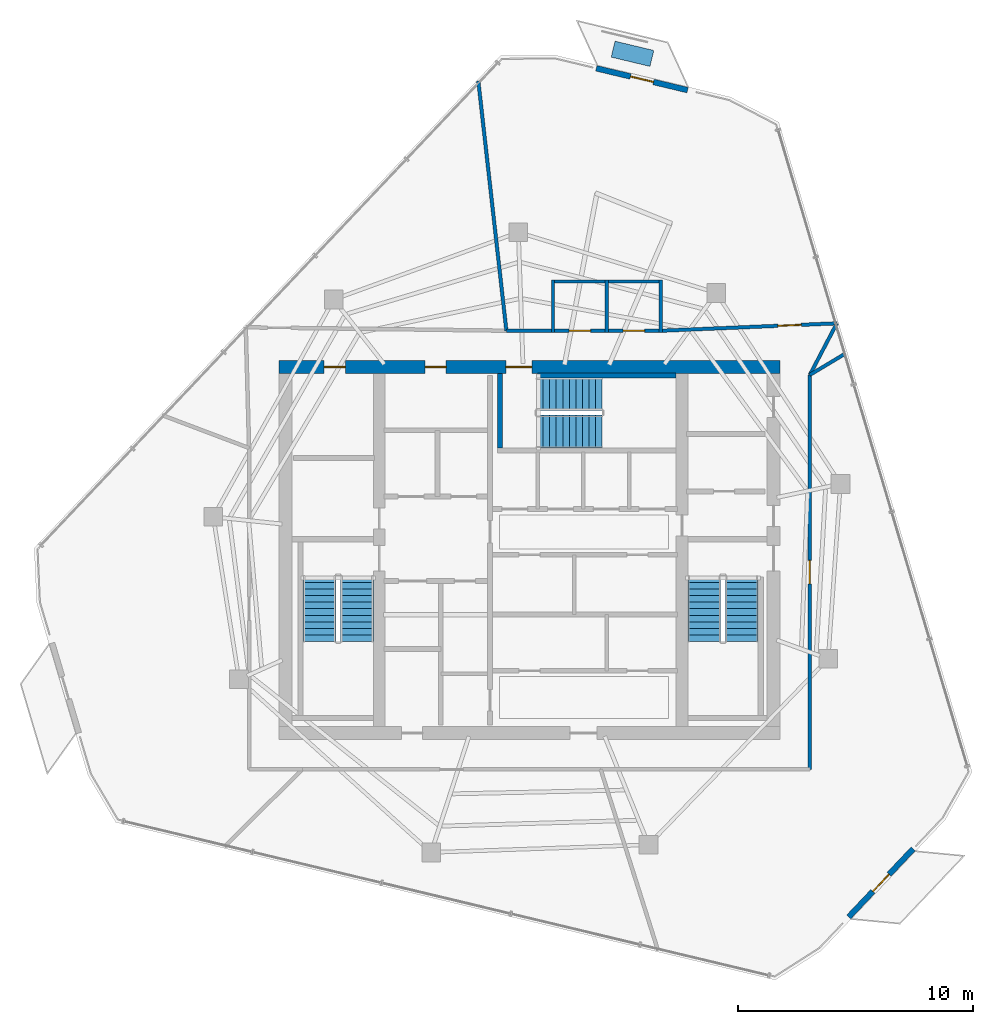
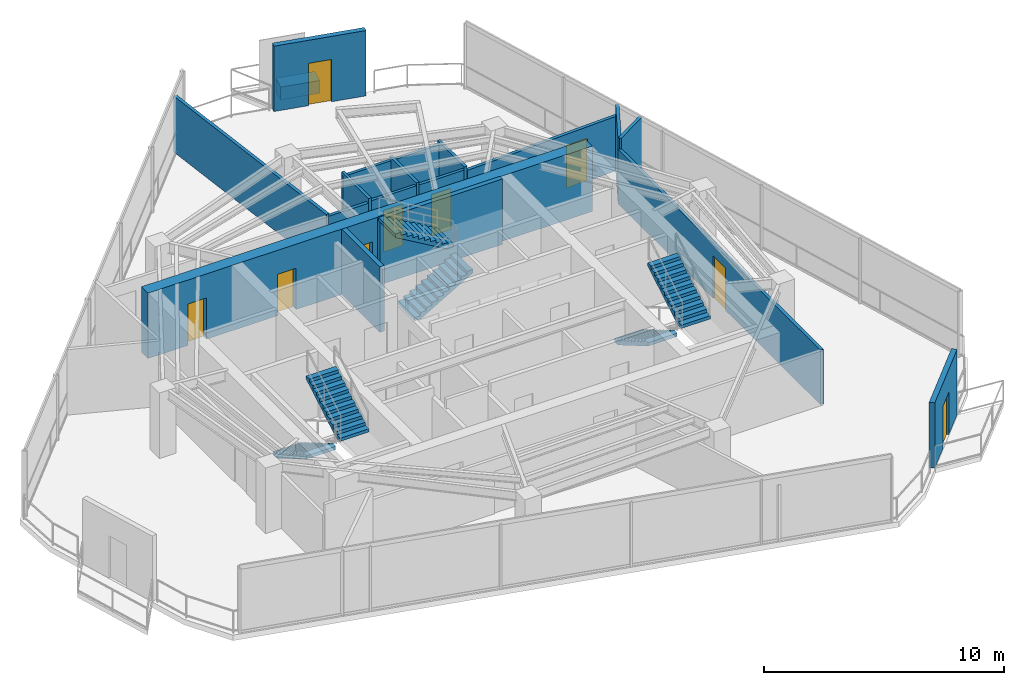
# One storey, part 16 of 18: 18 walls, 9 doors, 6 stair flights, 1 discrete accessory, 9 openings, 3 elements without a shape of their own.
"""IFC4 building model written with IfcOpenShell, lengths in metres."""

from ifc_helpers import new_model, si_unit, direction, frame, frame_2d, origin, origin_2d, place, context, subcontext, project, spatial, polyline, rectangle, outline, extrude, material, layer, layer_set, type_object, element, fill, aggregate, save


model = new_model("IFC4")

# Units and contexts
model_context = context("Model", 3, precision=1e-05, world=origin(), true_north=direction((0.0, 1.0)))
body_context = subcontext(model_context, "Body", "Model", "MODEL_VIEW")
ifc_project = project(units=[si_unit("LENGTHUNIT", "METRE"), si_unit("AREAUNIT", "SQUARE_METRE"), si_unit("VOLUMEUNIT", "CUBIC_METRE"), si_unit("PLANEANGLEUNIT", "RADIAN"), si_unit("MASSUNIT", "GRAM", prefix="KILO")], contexts=[model_context])

# Site, building, storey
site_placement = place(None, origin())
site = spatial("IfcSite", under=ifc_project, at=site_placement, CompositionType="ELEMENT")
building_placement = place(site_placement, origin())
building = spatial("IfcBuilding", under=site, at=building_placement, Name="Qarnah Convention Tower", CompositionType="ELEMENT")
storey_placement = place(building_placement, frame((0.0, 0.0, 242.699951171875)))
storey = spatial("IfcBuildingStorey", under=building, at=storey_placement, Name="L65", CompositionType="ELEMENT", Elevation=242.699951171875)

# Wall, openings, doors
ifc_material_1 = material(Name="Concrete C60/75", Category="concrete")
ifc_layer_1 = layer(ifc_material_1, 0.550048828125)
ifc_layer_set_1 = layer_set([ifc_layer_1], Name="Concrete C60/75")
wall_type_1 = type_object("IfcWallType", Name="WL-CORE-550", PredefinedType="SHEAR", material=ifc_layer_set_1)
wall_1_placement = place(storey_placement, frame((26.52490234375, 34.199951171875, 0.0), z_axis=(0.0, 0.0, 1.0), x_axis=(1.0, 0.0, 0.0)))
wall_1 = element("IfcWall", 1, at=wall_1_placement, inside=storey, type_object=wall_type_1, Name="L65 core north shear wall", PredefinedType="SHEAR", context=body_context, shape_type="SweptSolid", body=[
    extrude(rectangle(XDim=21.35009765625, YDim=0.550048828125, at=frame_2d((10.675048828125, 0.0))), origin(), (0.0, 0.0, 1.0), 3.320068359375),
])
opening_1_placement = place(wall_1_placement, frame((9.675048828125, 0.0, 0.0)))
opening_1 = element("IfcOpeningElement", 2, at=opening_1_placement, cuts=wall_1, Name="Opening D-6503", PredefinedType="OPENING", context=body_context, shape_type="SweptSolid", body=[
    extrude(rectangle(XDim=1.10009765625, YDim=2.14990234375, at=frame_2d((0.550048828125, 1.074951171875))), frame((0.0, 0.284912109375, 0.0), z_axis=(0.0, -1.0, 0.0), x_axis=(1.0, 0.0, 0.0)), (0.0, 0.0, 1.0), 0.570068359375),
])
opening_2_placement = place(wall_1_placement, frame((1.925048828125, 0.0, 0.0)))
opening_2 = element("IfcOpeningElement", 3, at=opening_2_placement, cuts=wall_1, Name="Opening D-6509", PredefinedType="OPENING", context=body_context, shape_type="SweptSolid", body=[
    extrude(rectangle(XDim=0.89990234375, YDim=2.10009765625, at=frame_2d((0.449951171875, 1.050048828125))), frame((0.0, 0.284912109375, 0.0), z_axis=(0.0, -1.0, 0.0), x_axis=(1.0, 0.0, 0.0)), (0.0, 0.0, 1.0), 0.570068359375),
])
opening_3_placement = place(wall_1_placement, frame((6.22509765625, 0.0, 0.0)))
opening_3 = element("IfcOpeningElement", 4, at=opening_3_placement, cuts=wall_1, Name="Opening D-6510", PredefinedType="OPENING", context=body_context, shape_type="SweptSolid", body=[
    extrude(rectangle(XDim=0.89990234375, YDim=2.10009765625, at=frame_2d((0.449951171875, 1.050048828125))), frame((0.0, 0.284912109375, 0.0), z_axis=(0.0, -1.0, 0.0), x_axis=(1.0, 0.0, 0.0)), (0.0, 0.0, 1.0), 0.570068359375),
])
ifc_material_2 = material(Name="Structural steel S355JR", Category="steel")
door_type_1 = type_object("IfcDoorType", Name="DT-RISER-900", OperationType="NOTDEFINED", PredefinedType="DOOR", material=ifc_material_2)
door_1_placement = place(opening_2_placement, origin())
door_1 = element("IfcDoor", 5, at=door_1_placement, inside=storey, type_object=door_type_1, Name="Door D-6509", OperationType="SINGLE_SWING_RIGHT", OverallHeight=2.10009765625, OverallWidth=0.89990234375, PredefinedType="DOOR", context=body_context, shape_type="SweptSolid", body=[
    extrude(rectangle(XDim=0.89990234375, YDim=2.10009765625, at=frame_2d((0.449951171875, 1.050048828125))), frame((0.0, 0.02490234375, 0.0), z_axis=(0.0, -1.0, 0.0), x_axis=(1.0, 0.0, 0.0)), (0.0, 0.0, 1.0), 0.050048828125),
])
fill(opening_2, door_1)
door_2_placement = place(opening_3_placement, origin())
door_2 = element("IfcDoor", 6, at=door_2_placement, inside=storey, type_object=door_type_1, Name="Door D-6510", OperationType="SINGLE_SWING_LEFT", OverallHeight=2.10009765625, OverallWidth=0.89990234375, PredefinedType="DOOR", context=body_context, shape_type="SweptSolid", body=[
    extrude(rectangle(XDim=0.89990234375, YDim=2.10009765625, at=frame_2d((0.449951171875, 1.050048828125))), frame((0.0, 0.02490234375, 0.0), z_axis=(0.0, -1.0, 0.0), x_axis=(1.0, 0.0, 0.0)), (0.0, 0.0, 1.0), 0.050048828125),
])
fill(opening_3, door_2)
door_type_2 = type_object("IfcDoorType", Name="DT-STAIR-1100", OperationType="NOTDEFINED", PredefinedType="DOOR", material=ifc_material_2)
door_3_placement = place(opening_1_placement, origin())
door_3 = element("IfcDoor", 7, at=door_3_placement, inside=storey, type_object=door_type_2, Name="Door D-6503", OperationType="SINGLE_SWING_RIGHT", OverallHeight=2.14990234375, OverallWidth=1.10009765625, PredefinedType="DOOR", context=body_context, shape_type="SweptSolid", body=[
    extrude(rectangle(XDim=1.10009765625, YDim=2.14990234375, at=frame_2d((0.550048828125, 1.074951171875))), frame((0.0, 0.02490234375, 0.0), z_axis=(0.0, -1.0, 0.0), x_axis=(1.0, 0.0, 0.0)), (0.0, 0.0, 1.0), 0.050048828125),
])
fill(opening_1, door_3)

# Walls
ifc_layer_2 = layer(ifc_material_1, 0.219970703125)
ifc_layer_set_2 = layer_set([ifc_layer_2], Name="Concrete C60/75")
wall_type_2 = type_object("IfcWallType", Name="WL-CORE-STAIR-220", PredefinedType="SHEAR", material=ifc_layer_set_2)
wall_2_placement = place(storey_placement, frame((35.93994140625, 30.75, 0.0), z_axis=(0.0, 0.0, 1.0), x_axis=(0.0, 1.0, 0.0)))
element("IfcWall", 8, at=wall_2_placement, inside=storey, type_object=wall_type_2, Name="L65 stair shaft shear wall SW-L65-ST3W", PredefinedType="SHEAR", context=body_context, shape_type="SweptSolid", body=[
    extrude(rectangle(XDim=3.175048828125, YDim=0.219970703125, at=frame_2d((1.58740234375, 0.0))), origin(), (0.0, 0.0, 1.0), 3.320068359375),
])
wall_3_placement = place(storey_placement, frame((37.550048828125, 33.840087890625, 0.0), z_axis=(0.0, 0.0, 1.0), x_axis=(1.0, 0.0, 0.0)))
element("IfcWall", 9, at=wall_3_placement, inside=storey, type_object=wall_type_2, Name="L65 stair shaft shear wall SW-L65-ST3N", PredefinedType="SHEAR", context=body_context, shape_type="SweptSolid", body=[
    extrude(rectangle(XDim=5.89990234375, YDim=0.219970703125, at=frame_2d((2.949951171875, 0.0))), origin(), (0.0, 0.0, 1.0), 3.320068359375),
])

# Wall, opening, door
ifc_material_3 = material(Name="Precast concrete C45/55", Category="concrete")
ifc_layer_3 = layer(ifc_material_3, 0.239990234375)
ifc_layer_set_3 = layer_set([ifc_layer_3], Name="Precast concrete C45/55")
wall_type_3 = type_object("IfcWallType", Name="WL-EXT-BAL-240", PredefinedType="SOLIDWALL", material=ifc_layer_set_3)
wall_4_placement = place(storey_placement, frame((40.050048828125, 46.93310546875, 0.0), z_axis=(0.0, 0.0, 1.0), x_axis=(0.972592994088, -0.232514231504, 0.0)))
wall_4 = element("IfcWall", 10, at=wall_4_placement, inside=storey, type_object=wall_type_3, Name="L65 loggia threshold wall BAL-L65-C1", PredefinedType="SOLIDWALL", context=body_context, shape_type="SweptSolid", body=[
    extrude(rectangle(XDim=4.00048828125, YDim=0.239990234375, at=frame_2d((2.000244140625, 0.0))), origin(), (0.0, 0.0, 1.0), 3.320068359375),
])
opening_4_placement = place(wall_4_placement, frame((1.5, 0.0, 0.0)))
opening_4 = element("IfcOpeningElement", 11, at=opening_4_placement, cuts=wall_4, Name="Opening BD-6501", PredefinedType="OPENING", context=body_context, shape_type="SweptSolid", body=[
    extrude(rectangle(XDim=1.0, YDim=2.14990234375, at=frame_2d((0.5, 1.074951171875))), frame((0.0, 0.1298828125, 0.0), z_axis=(0.0, -1.0, 0.0), x_axis=(1.0, 0.0, 0.0)), (0.0, 0.0, 1.0), 0.260009765625),
])
ifc_material_4 = material(Name="Black anodised aluminium", Category="aluminium")
door_type_3 = type_object("IfcDoorType", Name="DT-BAL-1000", OperationType="NOTDEFINED", PredefinedType="DOOR", material=ifc_material_4)
door_4_placement = place(opening_4_placement, origin())
door_4 = element("IfcDoor", 12, at=door_4_placement, inside=storey, type_object=door_type_3, Name="L65 balcony terrace door BAL-L65-C1", OperationType="SINGLE_SWING_RIGHT", OverallHeight=2.14990234375, OverallWidth=1.0, PredefinedType="DOOR", context=body_context, shape_type="SweptSolid", body=[
    extrude(rectangle(XDim=1.0, YDim=2.14990234375, at=frame_2d((0.5, 1.074951171875))), frame((0.0, 0.02490234375, 0.0), z_axis=(0.0, -1.0, 0.0), x_axis=(1.0, 0.0, 0.0)), (0.0, 0.0, 1.0), 0.050048828125),
])
fill(opening_4, door_4)

wall_5_placement = place(storey_placement, frame((53.556884765625, 13.6650390625, 0.0), z_axis=(0.0, 0.0, 1.0), x_axis=(-0.687714175606, -0.725981551192, 0.0)))
wall_5 = element("IfcWall", 13, at=wall_5_placement, inside=storey, type_object=wall_type_3, Name="L65 loggia threshold wall BAL-L65-C3", PredefinedType="SOLIDWALL", context=body_context, shape_type="SweptSolid", body=[
    extrude(rectangle(XDim=4.000244140625, YDim=0.239990234375, at=frame_2d((2.0, 0.0))), origin(), (0.0, 0.0, 1.0), 3.320068359375),
])
opening_5_placement = place(wall_5_placement, frame((1.5, 0.0, 0.0)))
opening_5 = element("IfcOpeningElement", 14, at=opening_5_placement, cuts=wall_5, Name="Opening BD-6503", PredefinedType="OPENING", context=body_context, shape_type="SweptSolid", body=[
    extrude(rectangle(XDim=1.0, YDim=2.14990234375, at=frame_2d((0.5, 1.074951171875))), frame((0.0, 0.1298828125, 0.0), z_axis=(0.0, -1.0, 0.0), x_axis=(1.0, 0.0, 0.0)), (0.0, 0.0, 1.0), 0.260009765625),
])
door_5_placement = place(opening_5_placement, origin())
door_5 = element("IfcDoor", 15, at=door_5_placement, inside=storey, type_object=door_type_3, Name="L65 balcony terrace door BAL-L65-C3", OperationType="SINGLE_SWING_RIGHT", OverallHeight=2.14990234375, OverallWidth=1.0, PredefinedType="DOOR", context=body_context, shape_type="SweptSolid", body=[
    extrude(rectangle(XDim=1.0, YDim=2.14990234375, at=frame_2d((0.5, 1.074951171875))), frame((0.0, 0.02490234375, 0.0), z_axis=(0.0, -1.0, 0.0), x_axis=(1.0, 0.0, 0.0)), (0.0, 0.0, 1.0), 0.050048828125),
])
fill(opening_5, door_5)

# Walls
ifc_material_5 = material(Name="Gypsum partition board")
ifc_layer_4 = layer(ifc_material_5, 0.14990234375)
ifc_layer_set_4 = layer_set([ifc_layer_4], Name="Gypsum partition board")
wall_type_4 = type_object("IfcWallType", Name="WL-SUITE-150", PredefinedType="PARTITIONING", material=ifc_layer_set_4)
wall_6_placement = place(storey_placement, frame((35.02099609375, 46.388916015625, 0.0), z_axis=(0.0, 0.0, 1.0), x_axis=(0.111717925889, -0.993739958457, 0.0)))
element("IfcWall", 16, at=wall_6_placement, inside=storey, type_object=wall_type_4, Name="L65 interior wall IW-L65-R-08", PredefinedType="PARTITIONING", context=body_context, shape_type="SweptSolid", body=[
    extrude(rectangle(XDim=10.7060546875, YDim=0.14990234375, at=frame_2d((5.35302734375, 0.0))), origin(), (0.0, 0.0, 1.0), 2.844970703125),
])
wall_7_placement = place(storey_placement, frame((36.217041015625, 35.75, 0.0), z_axis=(0.0, 0.0, 1.0), x_axis=(1.0, 0.0, 0.0)))
element("IfcWall", 17, at=wall_7_placement, inside=storey, type_object=wall_type_4, Name="L65 interior wall IW-L65-R-09", PredefinedType="PARTITIONING", context=body_context, shape_type="SweptSolid", body=[
    extrude(rectangle(XDim=1.912841796875, YDim=0.14990234375, at=frame_2d((0.95654296875, 0.0))), origin(), (0.0, 0.0, 1.0), 2.76904296875),
])

# Wall, opening, door
wall_8_placement = place(storey_placement, frame((42.8701171875, 35.75, 0.0), z_axis=(0.0, 0.0, 1.0), x_axis=(0.999108611016, 0.042213545151, 0.0)))
wall_8 = element("IfcWall", 18, at=wall_8_placement, inside=storey, type_object=wall_type_4, Name="L65 interior wall IW-L65-R-10", PredefinedType="PARTITIONING", context=body_context, shape_type="SweptSolid", body=[
    extrude(rectangle(XDim=7.4375, YDim=0.14990234375, at=frame_2d((3.71875, 0.0))), origin(), (0.0, 0.0, 1.0), 2.76904296875),
])
opening_6_placement = place(wall_8_placement, frame((4.9208984375, 0.0, 0.0)))
opening_6 = element("IfcOpeningElement", 19, at=opening_6_placement, cuts=wall_8, Name="Opening D-6522", PredefinedType="OPENING", context=body_context, shape_type="SweptSolid", body=[
    extrude(rectangle(XDim=1.0, YDim=2.14990234375, at=frame_2d((0.5, 1.074951171875))), frame((0.0, 0.0849609375, 0.0), z_axis=(0.0, -1.0, 0.0), x_axis=(1.0, 0.0, 0.0)), (0.0, 0.0, 1.0), 0.169921875),
])
ifc_material_6 = material(Name="Oak timber veneer", Category="wood")
door_type_4 = type_object("IfcDoorType", Name="DT-OFFICE-1000", OperationType="NOTDEFINED", PredefinedType="DOOR", material=ifc_material_6)
door_6_placement = place(opening_6_placement, origin())
door_6 = element("IfcDoor", 20, at=door_6_placement, inside=storey, type_object=door_type_4, Name="Door D-6522", OperationType="SINGLE_SWING_LEFT", OverallHeight=2.14990234375, OverallWidth=1.0, PredefinedType="DOOR", context=body_context, shape_type="SweptSolid", body=[
    extrude(rectangle(XDim=1.0, YDim=2.14990234375, at=frame_2d((0.5, 1.074951171875))), frame((0.0, 0.02490234375, 0.0), z_axis=(0.0, -1.0, 0.0), x_axis=(1.0, 0.0, 0.0)), (0.0, 0.0, 1.0), 0.050048828125),
])
fill(opening_6, door_6)

# Walls
wall_9_placement = place(storey_placement, frame((50.301025390625, 36.06396484375, 0.0), z_axis=(0.0, 0.0, 1.0), x_axis=(-0.464102620755, -0.885781438849, 0.0)))
element("IfcWall", 21, at=wall_9_placement, inside=storey, type_object=wall_type_4, Name="L65 interior wall IW-L65-R-11", PredefinedType="PARTITIONING", context=body_context, shape_type="SweptSolid", body=[
    extrude(rectangle(XDim=2.480224609375, YDim=0.14990234375, at=frame_2d((1.240234375, 0.0))), origin(), (0.0, 0.0, 1.0), 3.320068359375),
])
wall_10_placement = place(storey_placement, frame((49.14990234375, 33.866943359375, 0.0), z_axis=(0.0, 0.0, 1.0), x_axis=(0.857360030512, 0.514717182616, 0.0)))
element("IfcWall", 22, at=wall_10_placement, inside=storey, type_object=wall_type_4, Name="L65 interior wall IW-L65-R-12", PredefinedType="PARTITIONING", context=body_context, shape_type="SweptSolid", body=[
    extrude(rectangle(XDim=1.783447265625, YDim=0.14990234375, at=frame_2d((0.8916015625, 0.0))), origin(), (0.0, 0.0, 1.0), 3.320068359375),
])

# Wall, opening, door
wall_11_placement = place(storey_placement, frame((49.14990234375, 33.866943359375, 0.0), z_axis=(0.0, 0.0, 1.0), x_axis=(0.0, -1.0, 0.0)))
wall_11 = element("IfcWall", 23, at=wall_11_placement, inside=storey, type_object=wall_type_4, Name="L65 interior wall IW-L65-R-21", PredefinedType="PARTITIONING", context=body_context, shape_type="SweptSolid", body=[
    extrude(rectangle(XDim=16.81689453125, YDim=0.14990234375, at=frame_2d((8.408447265625, 0.0))), origin(), (0.0, 0.0, 1.0), 2.76904296875),
])
opening_7_placement = place(wall_11_placement, frame((7.907958984375, 0.0, 0.0)))
opening_7 = element("IfcOpeningElement", 24, at=opening_7_placement, cuts=wall_11, Name="Opening D-6526", PredefinedType="OPENING", context=body_context, shape_type="SweptSolid", body=[
    extrude(rectangle(XDim=1.0, YDim=2.14990234375, at=frame_2d((0.5, 1.074951171875))), frame((0.0, 0.0849609375, 0.0), z_axis=(0.0, -1.0, 0.0), x_axis=(1.0, 0.0, 0.0)), (0.0, 0.0, 1.0), 0.169921875),
])
door_7_placement = place(opening_7_placement, origin())
door_7 = element("IfcDoor", 25, at=door_7_placement, inside=storey, type_object=door_type_4, Name="Door D-6526", OperationType="SINGLE_SWING_LEFT", OverallHeight=2.14990234375, OverallWidth=1.0, PredefinedType="DOOR", context=body_context, shape_type="SweptSolid", body=[
    extrude(rectangle(XDim=1.0, YDim=2.14990234375, at=frame_2d((0.5, 1.074951171875))), frame((0.0, 0.02490234375, 0.0), z_axis=(0.0, -1.0, 0.0), x_axis=(1.0, 0.0, 0.0)), (0.0, 0.0, 1.0), 0.050048828125),
])
fill(opening_7, door_7)

ifc_layer_5 = layer(ifc_material_5, 0.139892578125)
ifc_layer_set_5 = layer_set([ifc_layer_5], Name="Gypsum partition board")
wall_type_5 = type_object("IfcWallType", Name="WL-WET-140", PredefinedType="PARTITIONING", material=ifc_layer_set_5)
wall_12_placement = place(storey_placement, frame((38.1298828125, 35.75, 0.0), z_axis=(0.0, 0.0, 1.0), x_axis=(1.0, 0.0, 0.0)))
wall_12 = element("IfcWall", 26, at=wall_12_placement, inside=storey, type_object=wall_type_5, Name="L65 interior wall IW-L65-WCM-1", PredefinedType="PARTITIONING", context=body_context, shape_type="SweptSolid", body=[
    extrude(rectangle(XDim=2.440185546875, YDim=0.139892578125, at=frame_2d((1.22021484375, 0.0))), origin(), (0.0, 0.0, 1.0), 2.841064453125),
])
opening_8_placement = place(wall_12_placement, frame((0.760009765625, 0.0, 0.0)))
opening_8 = element("IfcOpeningElement", 27, at=opening_8_placement, cuts=wall_12, Name="Opening D-6520", PredefinedType="OPENING", context=body_context, shape_type="SweptSolid", body=[
    extrude(rectangle(XDim=0.919921875, YDim=2.10009765625, at=frame_2d((0.4599609375, 1.050048828125))), frame((0.0, 0.079833984375, 0.0), z_axis=(0.0, -1.0, 0.0), x_axis=(1.0, 0.0, 0.0)), (0.0, 0.0, 1.0), 0.159912109375),
])
door_type_5 = type_object("IfcDoorType", Name="DT-WC-920", OperationType="NOTDEFINED", PredefinedType="DOOR", material=ifc_material_6)
door_8_placement = place(opening_8_placement, origin())
door_8 = element("IfcDoor", 28, at=door_8_placement, inside=storey, type_object=door_type_5, Name="Door D-6520", OperationType="SINGLE_SWING_LEFT", OverallHeight=2.10009765625, OverallWidth=0.919921875, PredefinedType="DOOR", context=body_context, shape_type="SweptSolid", body=[
    extrude(rectangle(XDim=0.919921875, YDim=2.10009765625, at=frame_2d((0.4599609375, 1.050048828125))), frame((0.0, 0.02490234375, 0.0), z_axis=(0.0, -1.0, 0.0), x_axis=(1.0, 0.0, 0.0)), (0.0, 0.0, 1.0), 0.050048828125),
])
fill(opening_8, door_8)

# Walls
wall_13_placement = place(storey_placement, frame((40.5, 35.679931640625, 0.0), z_axis=(0.0, 0.0, 1.0), x_axis=(0.0, 1.0, 0.0)))
element("IfcWall", 29, at=wall_13_placement, inside=storey, type_object=wall_type_5, Name="L65 interior wall IW-L65-WCM-2", PredefinedType="PARTITIONING", context=body_context, shape_type="SweptSolid", body=[
    extrude(rectangle(XDim=2.239990234375, YDim=0.139892578125, at=frame_2d((1.1201171875, 0.0))), origin(), (0.0, 0.0, 1.0), 2.9931640625),
])
wall_14_placement = place(storey_placement, frame((40.570068359375, 37.85009765625, 0.0), z_axis=(0.0, 0.0, 1.0), x_axis=(-1.0, 0.0, 0.0)))
element("IfcWall", 30, at=wall_14_placement, inside=storey, type_object=wall_type_5, Name="L65 interior wall IW-L65-WCM-3", PredefinedType="PARTITIONING", context=body_context, shape_type="SweptSolid", body=[
    extrude(rectangle(XDim=2.440185546875, YDim=0.139892578125, at=frame_2d((1.22021484375, 0.0))), origin(), (0.0, 0.0, 1.0), 2.841064453125),
])
wall_15_placement = place(storey_placement, frame((38.199951171875, 37.919921875, 0.0), z_axis=(0.0, 0.0, 1.0), x_axis=(0.0, -1.0, 0.0)))
element("IfcWall", 31, at=wall_15_placement, inside=storey, type_object=wall_type_5, Name="L65 interior wall IW-L65-WCM-4", PredefinedType="PARTITIONING", context=body_context, shape_type="SweptSolid", body=[
    extrude(rectangle(XDim=2.239990234375, YDim=0.139892578125, at=frame_2d((1.1201171875, 0.0))), origin(), (0.0, 0.0, 1.0), 2.9931640625),
])

# Wall, opening, door
wall_16_placement = place(storey_placement, frame((40.429931640625, 35.75, 0.0), z_axis=(0.0, 0.0, 1.0), x_axis=(1.0, 0.0, 0.0)))
wall_16 = element("IfcWall", 32, at=wall_16_placement, inside=storey, type_object=wall_type_5, Name="L65 interior wall IW-L65-WCF-1", PredefinedType="PARTITIONING", context=body_context, shape_type="SweptSolid", body=[
    extrude(rectangle(XDim=2.440185546875, YDim=0.139892578125, at=frame_2d((1.22021484375, 0.0))), origin(), (0.0, 0.0, 1.0), 2.841064453125),
])
opening_9_placement = place(wall_16_placement, frame((0.760009765625, 0.0, 0.0)))
opening_9 = element("IfcOpeningElement", 33, at=opening_9_placement, cuts=wall_16, Name="Opening D-6521", PredefinedType="OPENING", context=body_context, shape_type="SweptSolid", body=[
    extrude(rectangle(XDim=0.919921875, YDim=2.10009765625, at=frame_2d((0.4599609375, 1.050048828125))), frame((0.0, 0.079833984375, 0.0), z_axis=(0.0, -1.0, 0.0), x_axis=(1.0, 0.0, 0.0)), (0.0, 0.0, 1.0), 0.159912109375),
])
door_9_placement = place(opening_9_placement, origin())
door_9 = element("IfcDoor", 34, at=door_9_placement, inside=storey, type_object=door_type_5, Name="Door D-6521", OperationType="SINGLE_SWING_RIGHT", OverallHeight=2.10009765625, OverallWidth=0.919921875, PredefinedType="DOOR", context=body_context, shape_type="SweptSolid", body=[
    extrude(rectangle(XDim=0.919921875, YDim=2.10009765625, at=frame_2d((0.4599609375, 1.050048828125))), frame((0.0, 0.02490234375, 0.0), z_axis=(0.0, -1.0, 0.0), x_axis=(1.0, 0.0, 0.0)), (0.0, 0.0, 1.0), 0.050048828125),
])
fill(opening_9, door_9)

# Walls
wall_17_placement = place(storey_placement, frame((42.800048828125, 35.679931640625, 0.0), z_axis=(0.0, 0.0, 1.0), x_axis=(0.0, 1.0, 0.0)))
element("IfcWall", 35, at=wall_17_placement, inside=storey, type_object=wall_type_5, Name="L65 interior wall IW-L65-WCF-2", PredefinedType="PARTITIONING", context=body_context, shape_type="SweptSolid", body=[
    extrude(rectangle(XDim=2.239990234375, YDim=0.139892578125, at=frame_2d((1.1201171875, 0.0))), origin(), (0.0, 0.0, 1.0), 2.9931640625),
])
wall_18_placement = place(storey_placement, frame((42.8701171875, 37.85009765625, 0.0), z_axis=(0.0, 0.0, 1.0), x_axis=(-1.0, 0.0, 0.0)))
element("IfcWall", 36, at=wall_18_placement, inside=storey, type_object=wall_type_5, Name="L65 interior wall IW-L65-WCF-3", PredefinedType="PARTITIONING", context=body_context, shape_type="SweptSolid", body=[
    extrude(rectangle(XDim=2.440185546875, YDim=0.139892578125, at=frame_2d((1.22021484375, 0.0))), origin(), (0.0, 0.0, 1.0), 2.841064453125),
])

# Stair, stair flights
ifc_material_7 = material(Name="Concrete C50/60", Category="concrete")
stair_type = type_object("IfcStairType", Name="STR-OFF", PredefinedType="HALF_TURN_STAIR", material=ifc_material_7)
stair_1_placement = place(storey_placement, origin())
stair_1 = element("IfcStair", 37, at=stair_1_placement, inside=storey, type_object=stair_type, Name="L65 Core exit stair ST-1", PredefinedType="HALF_TURN_STAIR")
stair_flight_type = type_object("IfcStairFlightType", Name="FLT-OFF", PredefinedType="STRAIGHT", material=ifc_material_7)
stair_flight_1_placement = place(storey_placement, frame((28.25, 25.300048828125, 0.0), z_axis=(0.0, 0.0, 1.0), x_axis=(0.0, -1.0, 0.0)))
stair_flight_1 = element("IfcStairFlight", 38, at=stair_flight_1_placement, type_object=stair_flight_type, Name="ST-1 flight 1", NumberOfRisers=11, NumberOfTreads=10, PredefinedType="STRAIGHT", RiserHeight=0.163636364, TreadLength=0.28, context=body_context, shape_type="SweptSolid", body=[
    extrude(outline(polyline([(0.0, 0.0), (0.0, 0.16357421875), (0.280029296875, 0.16357421875), (0.280029296875, 0.327392578125), (0.56005859375, 0.327392578125), (0.56005859375, 0.490966796875), (0.840087890625, 0.490966796875), (0.840087890625, 0.654541015625), (1.1201171875, 0.654541015625), (1.1201171875, 0.818115234375), (1.39990234375, 0.818115234375), (1.39990234375, 0.98193359375), (1.679931640625, 0.98193359375), (1.679931640625, 1.1455078125), (1.9599609375, 1.1455078125), (1.9599609375, 1.30908203125), (2.239990234375, 1.30908203125), (2.239990234375, 1.47265625), (2.52001953125, 1.47265625), (2.52001953125, 1.636474609375), (2.800048828125, 1.636474609375), (2.800048828125, 1.800048828125), (2.800048828125, 1.462646484375), (0.297119140625, 0.0), (0.0, 0.0)])), frame((0.0, 0.699951171875, 0.0), z_axis=(0.0, -1.0, 0.0), x_axis=(1.0, 0.0, 0.0)), (0.0, 0.0, 1.0), 1.39990234375),
])
stair_flight_2_placement = place(storey_placement, frame((29.85009765625, 22.5, 1.800048828125), z_axis=(0.0, 0.0, 1.0), x_axis=(0.0, 1.0, 0.0)))
stair_flight_2 = element("IfcStairFlight", 39, at=stair_flight_2_placement, type_object=stair_flight_type, Name="ST-1 flight 2", NumberOfRisers=11, NumberOfTreads=10, PredefinedType="STRAIGHT", RiserHeight=0.163636364, TreadLength=0.28, context=body_context, shape_type="SweptSolid", body=[
    extrude(outline(polyline([(0.0, 0.0), (0.0, 0.16357421875), (0.280029296875, 0.16357421875), (0.280029296875, 0.327392578125), (0.56005859375, 0.327392578125), (0.56005859375, 0.490966796875), (0.840087890625, 0.490966796875), (0.840087890625, 0.654541015625), (1.1201171875, 0.654541015625), (1.1201171875, 0.818115234375), (1.39990234375, 0.818115234375), (1.39990234375, 0.98193359375), (1.679931640625, 0.98193359375), (1.679931640625, 1.1455078125), (1.9599609375, 1.1455078125), (1.9599609375, 1.30908203125), (2.239990234375, 1.30908203125), (2.239990234375, 1.47265625), (2.52001953125, 1.47265625), (2.52001953125, 1.636474609375), (2.800048828125, 1.636474609375), (2.800048828125, 1.800048828125), (2.800048828125, 1.462646484375), (0.297119140625, 0.0), (0.0, 0.0)])), frame((0.0, 0.699951171875, 0.0), z_axis=(0.0, -1.0, 0.0), x_axis=(1.0, 0.0, 0.0)), (0.0, 0.0, 1.0), 1.39990234375),
])
aggregate(stair_1, [stair_flight_1, stair_flight_2])

stair_2_placement = place(storey_placement, origin())
stair_2 = element("IfcStair", 40, at=stair_2_placement, inside=storey, type_object=stair_type, Name="L65 Core exit stair ST-2", PredefinedType="HALF_TURN_STAIR")
stair_flight_3_placement = place(storey_placement, frame((44.64990234375, 25.300048828125, 0.0), z_axis=(0.0, 0.0, 1.0), x_axis=(0.0, -1.0, 0.0)))
stair_flight_3 = element("IfcStairFlight", 41, at=stair_flight_3_placement, type_object=stair_flight_type, Name="ST-2 flight 1", NumberOfRisers=11, NumberOfTreads=10, PredefinedType="STRAIGHT", RiserHeight=0.163636364, TreadLength=0.28, context=body_context, shape_type="SweptSolid", body=[
    extrude(outline(polyline([(0.0, 0.0), (0.0, 0.16357421875), (0.280029296875, 0.16357421875), (0.280029296875, 0.327392578125), (0.56005859375, 0.327392578125), (0.56005859375, 0.490966796875), (0.840087890625, 0.490966796875), (0.840087890625, 0.654541015625), (1.1201171875, 0.654541015625), (1.1201171875, 0.818115234375), (1.39990234375, 0.818115234375), (1.39990234375, 0.98193359375), (1.679931640625, 0.98193359375), (1.679931640625, 1.1455078125), (1.9599609375, 1.1455078125), (1.9599609375, 1.30908203125), (2.239990234375, 1.30908203125), (2.239990234375, 1.47265625), (2.52001953125, 1.47265625), (2.52001953125, 1.636474609375), (2.800048828125, 1.636474609375), (2.800048828125, 1.800048828125), (2.800048828125, 1.462646484375), (0.297119140625, 0.0), (0.0, 0.0)])), frame((0.0, 0.699951171875, 0.0), z_axis=(0.0, -1.0, 0.0), x_axis=(1.0, 0.0, 0.0)), (0.0, 0.0, 1.0), 1.39990234375),
])
stair_flight_4_placement = place(storey_placement, frame((46.25, 22.5, 1.800048828125), z_axis=(0.0, 0.0, 1.0), x_axis=(0.0, 1.0, 0.0)))
stair_flight_4 = element("IfcStairFlight", 42, at=stair_flight_4_placement, type_object=stair_flight_type, Name="ST-2 flight 2", NumberOfRisers=11, NumberOfTreads=10, PredefinedType="STRAIGHT", RiserHeight=0.163636364, TreadLength=0.28, context=body_context, shape_type="SweptSolid", body=[
    extrude(outline(polyline([(0.0, 0.0), (0.0, 0.16357421875), (0.280029296875, 0.16357421875), (0.280029296875, 0.327392578125), (0.56005859375, 0.327392578125), (0.56005859375, 0.490966796875), (0.840087890625, 0.490966796875), (0.840087890625, 0.654541015625), (1.1201171875, 0.654541015625), (1.1201171875, 0.818115234375), (1.39990234375, 0.818115234375), (1.39990234375, 0.98193359375), (1.679931640625, 0.98193359375), (1.679931640625, 1.1455078125), (1.9599609375, 1.1455078125), (1.9599609375, 1.30908203125), (2.239990234375, 1.30908203125), (2.239990234375, 1.47265625), (2.52001953125, 1.47265625), (2.52001953125, 1.636474609375), (2.800048828125, 1.636474609375), (2.800048828125, 1.800048828125), (2.800048828125, 1.462646484375), (0.297119140625, 0.0), (0.0, 0.0)])), frame((0.0, 0.699951171875, 0.0), z_axis=(0.0, -1.0, 0.0), x_axis=(1.0, 0.0, 0.0)), (0.0, 0.0, 1.0), 1.39990234375),
])
aggregate(stair_2, [stair_flight_3, stair_flight_4])

stair_3_placement = place(storey_placement, origin())
stair_3 = element("IfcStair", 43, at=stair_3_placement, inside=storey, type_object=stair_type, Name="L65 Core exit stair ST-3", PredefinedType="HALF_TURN_STAIR")
stair_flight_5_placement = place(storey_placement, frame((37.5, 31.449951171875, 0.0), z_axis=(0.0, 0.0, 1.0), x_axis=(1.0, 0.0, 0.0)))
stair_flight_5 = element("IfcStairFlight", 44, at=stair_flight_5_placement, type_object=stair_flight_type, Name="ST-3 flight 1", NumberOfRisers=11, NumberOfTreads=10, PredefinedType="STRAIGHT", RiserHeight=0.163636364, TreadLength=0.28, context=body_context, shape_type="SweptSolid", body=[
    extrude(outline(polyline([(0.0, 0.0), (0.0, 0.16357421875), (0.280029296875, 0.16357421875), (0.280029296875, 0.327392578125), (0.56005859375, 0.327392578125), (0.56005859375, 0.490966796875), (0.840087890625, 0.490966796875), (0.840087890625, 0.654541015625), (1.1201171875, 0.654541015625), (1.1201171875, 0.818115234375), (1.39990234375, 0.818115234375), (1.39990234375, 0.98193359375), (1.679931640625, 0.98193359375), (1.679931640625, 1.1455078125), (1.9599609375, 1.1455078125), (1.9599609375, 1.30908203125), (2.239990234375, 1.30908203125), (2.239990234375, 1.47265625), (2.52001953125, 1.47265625), (2.52001953125, 1.636474609375), (2.800048828125, 1.636474609375), (2.800048828125, 1.800048828125), (2.800048828125, 1.462646484375), (0.297119140625, 0.0), (0.0, 0.0)])), frame((0.0, 0.699951171875, 0.0), z_axis=(0.0, -1.0, 0.0), x_axis=(1.0, 0.0, 0.0)), (0.0, 0.0, 1.0), 1.39990234375),
])
stair_flight_6_placement = place(storey_placement, frame((40.300048828125, 33.050048828125, 1.800048828125), z_axis=(0.0, 0.0, 1.0), x_axis=(-1.0, 0.0, 0.0)))
stair_flight_6 = element("IfcStairFlight", 45, at=stair_flight_6_placement, type_object=stair_flight_type, Name="ST-3 flight 2", NumberOfRisers=11, NumberOfTreads=10, PredefinedType="STRAIGHT", RiserHeight=0.163636364, TreadLength=0.28, context=body_context, shape_type="SweptSolid", body=[
    extrude(outline(polyline([(0.0, 0.0), (0.0, 0.16357421875), (0.280029296875, 0.16357421875), (0.280029296875, 0.327392578125), (0.56005859375, 0.327392578125), (0.56005859375, 0.490966796875), (0.840087890625, 0.490966796875), (0.840087890625, 0.654541015625), (1.1201171875, 0.654541015625), (1.1201171875, 0.818115234375), (1.39990234375, 0.818115234375), (1.39990234375, 0.98193359375), (1.679931640625, 0.98193359375), (1.679931640625, 1.1455078125), (1.9599609375, 1.1455078125), (1.9599609375, 1.30908203125), (2.239990234375, 1.30908203125), (2.239990234375, 1.47265625), (2.52001953125, 1.47265625), (2.52001953125, 1.636474609375), (2.800048828125, 1.636474609375), (2.800048828125, 1.800048828125), (2.800048828125, 1.462646484375), (0.297119140625, 0.0), (0.0, 0.0)])), frame((0.0, 0.699951171875, 0.0), z_axis=(0.0, -1.0, 0.0), x_axis=(1.0, 0.0, 0.0)), (0.0, 0.0, 1.0), 1.39990234375),
])
aggregate(stair_3, [stair_flight_5, stair_flight_6])

# Discrete accessory
discrete_accessory_type = type_object("IfcDiscreteAccessoryType", Name="ACC-PLANTER-900", PredefinedType="USERDEFINED", material=ifc_material_3)
discrete_accessory_placement = place(storey_placement, frame((41.592041015625, 47.552001953125, 0.0), z_axis=(0.0, 0.0, 1.0), x_axis=(-0.972573269632, 0.232596722241, 0.0)))
element("IfcDiscreteAccessory", 46, at=discrete_accessory_placement, inside=storey, type_object=discrete_accessory_type, Name="L65 irrigated desert balcony PLANTER BAL-L65-C1", ObjectType="PLANTER", PredefinedType="USERDEFINED", context=body_context, shape_type="SweptSolid", body=[
    extrude(rectangle(XDim=1.699951171875, YDim=0.699951171875, at=origin_2d()), origin(), (0.0, 0.0, 1.0), 0.64990234375),
])

save(model, "model.ifc")
